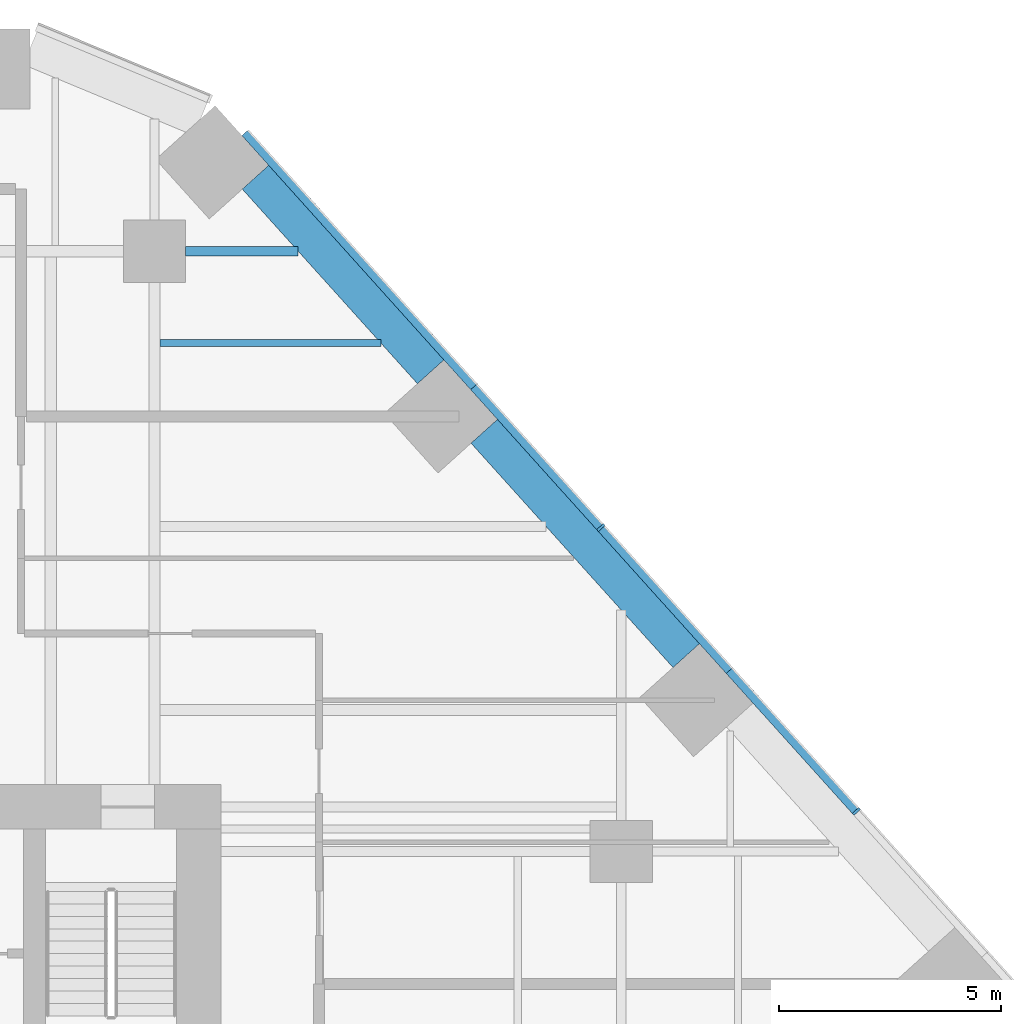
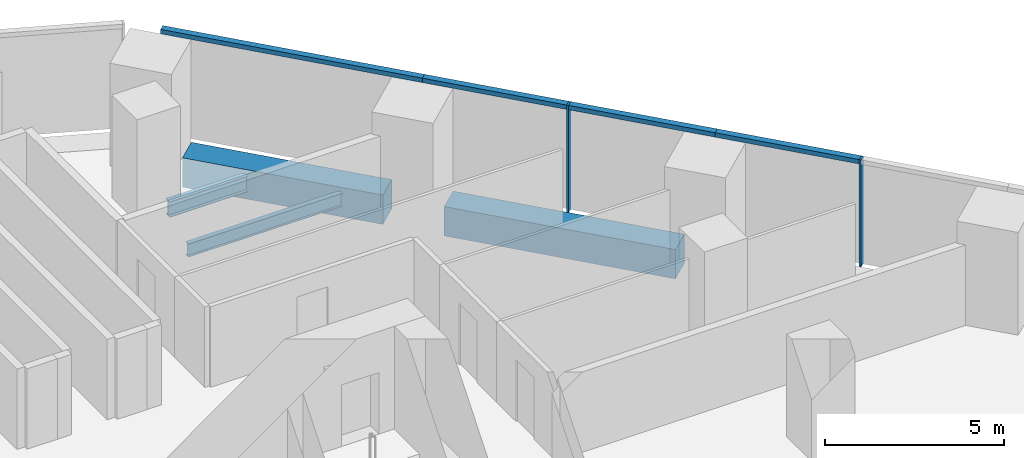
# One storey, part 10 of 21: 6 members, 4 beams, 1 element without a shape of its own.
"""IFC4 building model written with IfcOpenShell, lengths in metres."""

from ifc_helpers import new_model, si_unit, direction, frame, origin, origin_2d, place, context, subcontext, project, spatial, rectangle, i_section, extrude, material, layer, layer_set, material_profile, profile_set, type_object, element, aggregate, save


model = new_model("IFC4")

# Units and contexts
model_context = context("Model", 3, precision=1e-05, world=origin(), true_north=direction((0.0, 1.0)))
body_context = subcontext(model_context, "Body", "Model", "MODEL_VIEW")
ifc_project = project(units=[si_unit("LENGTHUNIT", "METRE"), si_unit("AREAUNIT", "SQUARE_METRE"), si_unit("VOLUMEUNIT", "CUBIC_METRE"), si_unit("PLANEANGLEUNIT", "RADIAN"), si_unit("MASSUNIT", "GRAM", prefix="KILO")], contexts=[model_context])

# Site, building, storey
site_placement = place(None, origin())
site = spatial("IfcSite", under=ifc_project, at=site_placement, CompositionType="ELEMENT")
building_placement = place(site_placement, origin())
building = spatial("IfcBuilding", under=site, at=building_placement, Name="Isthmus Gate Tower", CompositionType="ELEMENT")
storey_placement = place(building_placement, frame((0.0, 0.0, 50.60009765625)))
storey = spatial("IfcBuildingStorey", under=building, at=storey_placement, Name="L10", CompositionType="ELEMENT", Elevation=50.60009765625)

# Curtain wall, members
ifc_material_1 = material(Name="Aluminium, pale champagne anodised", Category="aluminium")
ifc_layer = layer(ifc_material_1, 0.199951171875)
ifc_layer_set = layer_set([ifc_layer], Name="CW-1 UNITISED CURTAIN WALL 200 DEEP")
curtain_wall_type = type_object("IfcCurtainWallType", Name="CW-1 UNITISED CURTAIN WALL 200 DEEP", PredefinedType="NOTDEFINED", material=ifc_layer_set)
curtain_wall_placement = place(storey_placement, origin())
curtain_wall = element("IfcCurtainWall", 1, at=curtain_wall_placement, inside=storey, type_object=curtain_wall_type, Name="CW-1 NE L10", PredefinedType="NOTDEFINED")
ifc_material_2 = material(Name="Aluminium, pale champagne anodised", Category="aluminium")
ifc_material_profile_1 = material_profile(ifc_material_2, rectangle(XDim=0.06005859375, YDim=0.199951171875, at=origin_2d()), Name="60x200")
ifc_profile_set_1 = profile_set([ifc_material_profile_1], Name="Aluminium, pale champagne anodised")
member_type_1 = type_object("IfcMemberType", Name="CW-1 MULLION 60 X 200", PredefinedType="MULLION", material=ifc_profile_set_1)
member_1_placement = place(storey_placement, frame((29.287841796875, 14.400146484375, 0.0), z_axis=(0.0, 0.0, 1.0), x_axis=(-0.669130606359, 0.743144825477, 0.0)))
member_1 = element("IfcMember", 2, at=member_1_placement, type_object=member_type_1, Name="CW-1 mullion", PredefinedType="MULLION", context=body_context, shape_type="SweptSolid", body=[
    extrude(rectangle(XDim=0.06005859375, YDim=0.199951171875, at=origin_2d()), origin(), (0.0, 0.0, 1.0), 3.64990234375),
])
member_2_placement = place(storey_placement, frame((23.54052734375, 20.783447265625, 0.0), z_axis=(0.0, 0.0, 1.0), x_axis=(-0.669130606359, 0.743144825477, 0.0)))
member_2 = element("IfcMember", 3, at=member_2_placement, type_object=member_type_1, Name="CW-1 mullion", PredefinedType="MULLION", context=body_context, shape_type="SweptSolid", body=[
    extrude(rectangle(XDim=0.06005859375, YDim=0.199951171875, at=origin_2d()), origin(), (0.0, 0.0, 1.0), 3.64990234375),
])
ifc_material_3 = material(Name="Aluminium, pale champagne anodised", Category="aluminium")
ifc_material_profile_2 = material_profile(ifc_material_3, rectangle(XDim=0.199951171875, YDim=0.14990234375, at=origin_2d()), Name="200x150")
ifc_profile_set_2 = profile_set([ifc_material_profile_2], Name="Aluminium, pale champagne anodised")
member_type_2 = type_object("IfcMemberType", Name="CW-1 TRANSOM 200 X 150", PredefinedType="USERDEFINED", material=ifc_profile_set_2)
member_3_placement = place(storey_placement, frame((29.267822265625, 14.422607421875, 3.574951171875), z_axis=(-0.669123979474, 0.743150792298, 0.0), x_axis=(-0.743150792298, -0.669123979474, 0.0)))
member_3 = element("IfcMember", 4, at=member_3_placement, type_object=member_type_2, Name="CW-1 transom", ObjectType="TRANSOM", PredefinedType="USERDEFINED", context=body_context, shape_type="SweptSolid", body=[
    extrude(rectangle(XDim=0.199951171875, YDim=0.14990234375, at=origin_2d()), origin(), (0.0, 0.0, 1.0), 4.234619140625),
])
member_4_placement = place(storey_placement, frame((26.434326171875, 17.569580078125, 3.574951171875), z_axis=(-0.669159437096, 0.743118865153, 0.0), x_axis=(-0.743118865153, -0.669159437096, 0.0)))
member_4 = element("IfcMember", 5, at=member_4_placement, type_object=member_type_2, Name="CW-1 transom", ObjectType="TRANSOM", PredefinedType="USERDEFINED", context=body_context, shape_type="SweptSolid", body=[
    extrude(rectangle(XDim=0.199951171875, YDim=0.14990234375, at=origin_2d()), origin(), (0.0, 0.0, 1.0), 4.294677734375),
])
member_5_placement = place(storey_placement, frame((23.520263671875, 20.8056640625, 3.574951171875), z_axis=(-0.669123979474, 0.743150792298, 0.0), x_axis=(-0.743150792298, -0.669123979474, 0.0)))
member_5 = element("IfcMember", 6, at=member_5_placement, type_object=member_type_2, Name="CW-1 transom", ObjectType="TRANSOM", PredefinedType="USERDEFINED", context=body_context, shape_type="SweptSolid", body=[
    extrude(rectangle(XDim=0.199951171875, YDim=0.14990234375, at=origin_2d()), origin(), (0.0, 0.0, 1.0), 4.234619140625),
])
member_6_placement = place(storey_placement, frame((20.686767578125, 23.95263671875, 3.574951171875), z_axis=(-0.669115577823, 0.743158356957, 0.0), x_axis=(-0.743158356957, -0.669115577823, 0.0)))
member_6 = element("IfcMember", 7, at=member_6_placement, type_object=member_type_2, Name="CW-1 transom", ObjectType="TRANSOM", PredefinedType="USERDEFINED", context=body_context, shape_type="SweptSolid", body=[
    extrude(rectangle(XDim=0.199951171875, YDim=0.14990234375, at=origin_2d()), origin(), (0.0, 0.0, 1.0), 7.689208984375),
])
aggregate(curtain_wall, [member_1, member_3, member_4, member_2, member_5, member_6])

# Beams
ifc_material_4 = material(Name="Concrete f'c 70 MPa", Category="concrete")
ifc_material_profile_3 = material_profile(ifc_material_4, rectangle(XDim=0.800048828125, YDim=1.0, at=origin_2d()), Name="RC 800X1000")
ifc_profile_set_3 = profile_set([ifc_material_profile_3], Name="Concrete f'c 70 MPa")
beam_type_1 = type_object("IfcBeamType", Name="RC SPANDREL 800 X 1000", PredefinedType="SPANDREL", material=ifc_profile_set_3)
beam_1_placement = place(storey_placement, frame((15.772216796875, 28.66357421875, -0.5), z_axis=(0.669141061586, -0.743135411415, 0.0), x_axis=(0.743135411415, 0.669141061586, 0.0)))
element("IfcBeam", 8, at=beam_1_placement, inside=storey, type_object=beam_type_1, Name="str-spandrel-L10-01", PredefinedType="SPANDREL", context=body_context, shape_type="SweptSolid", body=[
    extrude(rectangle(XDim=0.800048828125, YDim=1.0, at=origin_2d()), origin(), (0.0, 0.0, 1.0), 5.889404296875),
])
beam_2_placement = place(storey_placement, frame((20.91748046875, 22.94921875, -0.5), z_axis=(0.669135571547, -0.743140354772, 0.0), x_axis=(0.743140354772, 0.669135571547, 0.0)))
element("IfcBeam", 9, at=beam_2_placement, inside=storey, type_object=beam_type_1, Name="str-spandrel-L10-02", PredefinedType="SPANDREL", context=body_context, shape_type="SweptSolid", body=[
    extrude(rectangle(XDim=0.800048828125, YDim=1.0, at=origin_2d()), origin(), (0.0, 0.0, 1.0), 6.789306640625),
])
ifc_material_5 = material(Name="Structural steel ASTM A992 Gr 50", Category="steel")
ifc_material_profile_4 = material_profile(ifc_material_5, i_section(OverallWidth=0.15234375, OverallDepth=0.45068359375, WebThickness=0.0078125, FlangeThickness=0.010986328125, at=origin_2d()), Name="W18X35")
ifc_profile_set_4 = profile_set([ifc_material_profile_4], Name="Structural steel ASTM A992 Gr 50")
beam_type_2 = type_object("IfcBeamType", Name="STEEL FLOOR BEAM W18X35", PredefinedType="JOIST", material=ifc_profile_set_4)
beam_3_placement = place(storey_placement, frame((13.626953125, 24.935791015625, -0.37548828125), z_axis=(1.0, 0.0, 0.0), x_axis=(0.0, 1.0, 0.0)))
element("IfcBeam", 10, at=beam_3_placement, inside=storey, type_object=beam_type_2, Name="str-beam-L10-26-02", PredefinedType="JOIST", context=body_context, shape_type="SweptSolid", body=[
    extrude(i_section(OverallWidth=0.15234375, OverallDepth=0.45068359375, WebThickness=0.0078125, FlangeThickness=0.010986328125, at=origin_2d()), origin(), (0.0, 0.0, 1.0), 4.963623046875),
])
ifc_material_6 = material(Name="Structural steel ASTM A992 Gr 50", Category="steel")
ifc_material_profile_5 = material_profile(ifc_material_6, i_section(OverallWidth=0.20947265625, OverallDepth=0.533447265625, WebThickness=0.009521484375, FlangeThickness=0.015869140625, at=origin_2d()), Name="W21X62")
ifc_profile_set_5 = profile_set([ifc_material_profile_5], Name="Structural steel ASTM A992 Gr 50")
beam_type_3 = type_object("IfcBeamType", Name="STEEL GIRDER W21X62", PredefinedType="BEAM", material=ifc_profile_set_5)
beam_4_placement = place(storey_placement, frame((14.199951171875, 27.0, -0.416748046875), z_axis=(1.0, 0.0, 0.0), x_axis=(0.0, 1.0, 0.0)))
element("IfcBeam", 11, at=beam_4_placement, inside=storey, type_object=beam_type_3, Name="str-girder-L10-19", PredefinedType="BEAM", context=body_context, shape_type="SweptSolid", body=[
    extrude(i_section(OverallWidth=0.20947265625, OverallDepth=0.533447265625, WebThickness=0.009521484375, FlangeThickness=0.015869140625, at=origin_2d()), origin(), (0.0, 0.0, 1.0), 2.531982421875),
])

save(model, "model.ifc")
